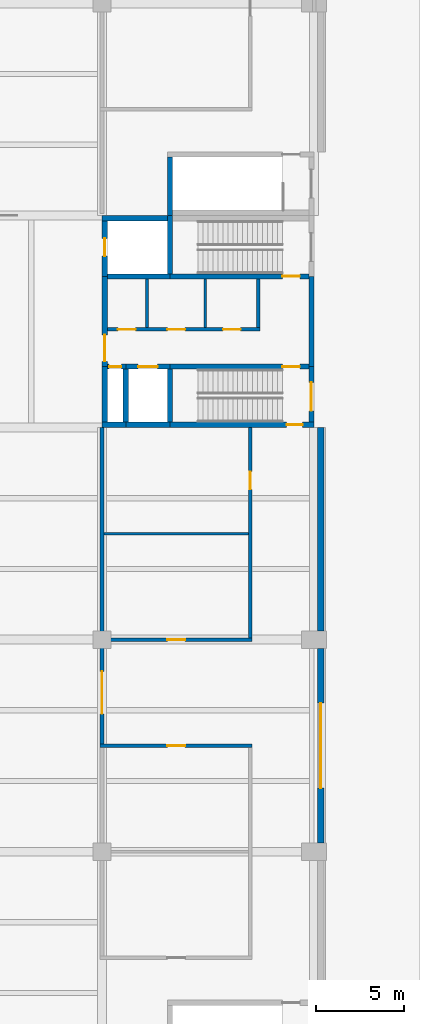
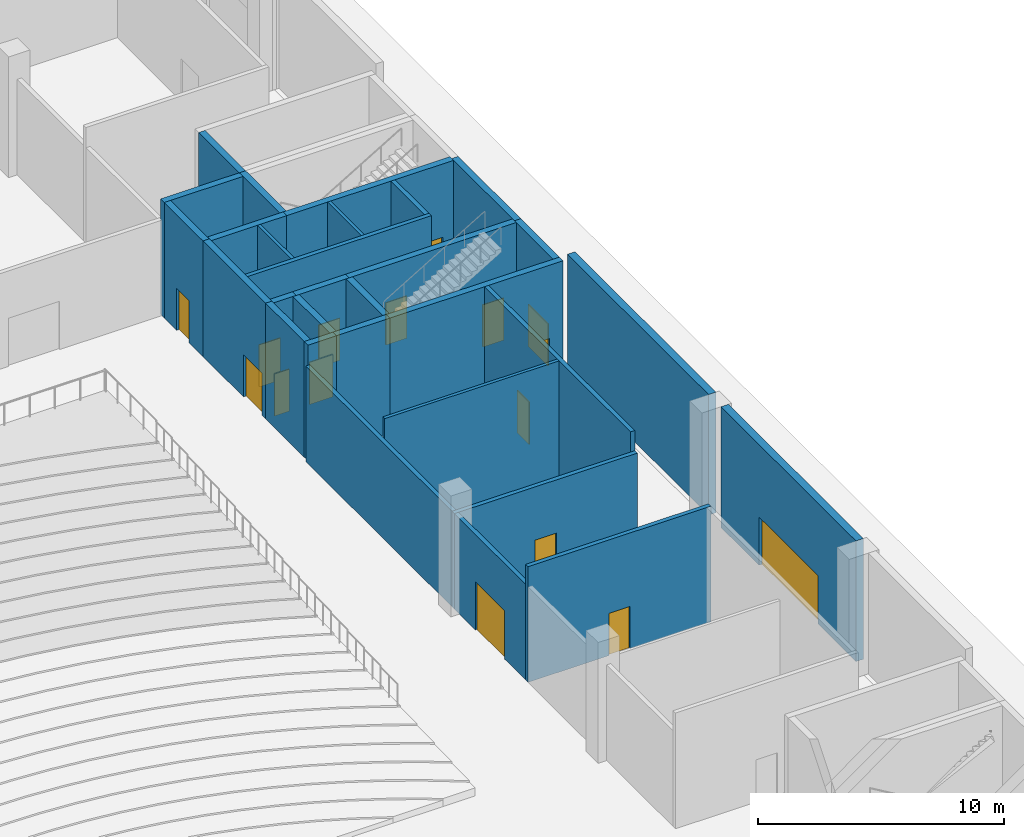
# One storey, part 42 of 59: 30 walls, 16 doors, 16 openings.
"""IFC4 building model written with IfcOpenShell, lengths in metres."""

from ifc_helpers import new_model, si_unit, direction, frame, frame_2d, origin, place, context, subcontext, project, spatial, rectangle, extrude, material, layer, layer_set, type_object, element, fill, save


model = new_model("IFC4")

# Units and contexts
model_context = context("Model", 3, precision=1e-05, world=origin(), true_north=direction((0.0, 1.0)))
body_context = subcontext(model_context, "Body", "Model", "MODEL_VIEW")
ifc_project = project(units=[si_unit("LENGTHUNIT", "METRE"), si_unit("AREAUNIT", "SQUARE_METRE"), si_unit("VOLUMEUNIT", "CUBIC_METRE"), si_unit("PLANEANGLEUNIT", "RADIAN"), si_unit("MASSUNIT", "GRAM", prefix="KILO")], contexts=[model_context])

# Site, building, storey
site_placement = place(None, origin())
site = spatial("IfcSite", under=ifc_project, at=site_placement, CompositionType="ELEMENT")
building_placement = place(site_placement, origin())
building = spatial("IfcBuilding", under=site, at=building_placement, Name="Lilac Gate Convention Centre", CompositionType="ELEMENT")
storey_placement = place(building_placement, origin())
storey = spatial("IfcBuildingStorey", under=building, at=storey_placement, Name="L00", CompositionType="ELEMENT", Elevation=0.0)

# Walls
ifc_material_1 = material(Name="Fire-rated gypsum board on steel stud", Category="steel")
ifc_layer_1 = layer(ifc_material_1, 0.14990234375)
ifc_layer_set_1 = layer_set([ifc_layer_1], Name="Fire-rated gypsum board on steel stud")
wall_type_1 = type_object("IfcWallType", Name="Partition 150 fire-rated gypsum board EI 60", PredefinedType="PARTITIONING", material=ifc_layer_set_1)
wall_1_placement = place(storey_placement, frame((78.10009765625, 144.0, 0.0), z_axis=(0.0, 0.0, 1.0), x_axis=(1.0, 0.0, 0.0)))
element("IfcWall", 1, at=wall_1_placement, inside=storey, type_object=wall_type_1, Name="Partition 150 fire-rated gypsum board EI 60", PredefinedType="PARTITIONING", context=body_context, shape_type="SweptSolid", body=[
    extrude(rectangle(XDim=8.199951171875, YDim=0.14990234375, at=frame_2d((4.10009765625, 0.0))), origin(), (0.0, 0.0, 1.0), 5.75),
])
for number, where, z_axis, x_axis, name in (
    (2, (80.550048828125, 155.64990234375, 0.0), (0.0, 0.0, 1.0), (0.0, 1.0, 0.0), "Partition 150 fire-rated gypsum board EI 60"),
    (3, (83.85009765625, 155.64990234375, 0.0), (0.0, 0.0, 1.0), (0.0, 1.0, 0.0), "Partition 150 fire-rated gypsum board EI 60"),
):
    element("IfcWall", number, at=place(storey_placement, frame(where, z_axis=z_axis, x_axis=x_axis)), inside=storey, type_object=wall_type_1, Name=name, PredefinedType="PARTITIONING", context=body_context, shape_type="SweptSolid", body=[
        extrude(rectangle(XDim=2.75, YDim=0.14990234375, at=frame_2d((1.375, 0.0))), origin(), (0.0, 0.0, 1.0), 5.75),
    ])

# Wall, opening, door
ifc_material_2 = material(Name="Clay brick masonry", Category="masonry")
ifc_layer_2 = layer(ifc_material_2, 0.199951171875)
ifc_layer_set_2 = layer_set([ifc_layer_2], Name="Clay brick masonry")
wall_type_2 = type_object("IfcWallType", Name="Partition 200 brick EI 120", PredefinedType="PARTITIONING", material=ifc_layer_set_2)
wall_2_placement = place(storey_placement, frame((78.0, 132.10009765625, 0.0), z_axis=(0.0, 0.0, 1.0), x_axis=(0.0, 1.0, 0.0)))
wall_2 = element("IfcWall", 4, at=wall_2_placement, inside=storey, type_object=wall_type_2, Name="Partition 200 brick EI 120", PredefinedType="PARTITIONING", context=body_context, shape_type="SweptSolid", body=[
    extrude(rectangle(XDim=5.7998046875, YDim=0.199951171875, at=frame_2d((2.89990234375, 0.0))), origin(), (0.0, 0.0, 1.0), 4.75),
])
opening_1_placement = place(wall_2_placement, frame((1.699951171875, 0.0, 0.0)))
opening_1 = element("IfcOpeningElement", 5, at=opening_1_placement, cuts=wall_2, Name="Opening L00-066", PredefinedType="OPENING", context=body_context, shape_type="SweptSolid", body=[
    extrude(rectangle(XDim=2.39990234375, YDim=2.39990234375, at=frame_2d((1.199951171875, 1.199951171875))), frame((0.0, 0.10986328125, 0.0), z_axis=(0.0, -1.0, 0.0), x_axis=(1.0, 0.0, 0.0)), (0.0, 0.0, 1.0), 0.219970703125),
])
ifc_material_3 = material(Name="Steel Q235B", Category="steel")
door_type_1 = type_object("IfcDoorType", Name="Door 2400 x 2400 double leaf FD90", OperationType="DOUBLE_DOOR_SINGLE_SWING", PredefinedType="DOOR", material=ifc_material_3)
door_1_placement = place(opening_1_placement, frame((2.39990234375, 0.0, 0.0), z_axis=(0.0, 0.0, 1.0), x_axis=(-1.0, 0.0, 0.0)))
door_1 = element("IfcDoor", 6, at=door_1_placement, inside=storey, type_object=door_type_1, Name="Hall exit door L00-066", OperationType="DOUBLE_DOOR_SINGLE_SWING", OverallHeight=2.39990234375, OverallWidth=2.39990234375, PredefinedType="DOOR", context=body_context, shape_type="SweptSolid", body=[
    extrude(rectangle(XDim=2.39990234375, YDim=2.39990234375, at=frame_2d((1.199951171875, 1.199951171875))), frame((0.0, 0.02490234375, 0.0), z_axis=(0.0, -1.0, 0.0), x_axis=(1.0, 0.0, 0.0)), (0.0, 0.0, 1.0), 0.050048828125),
])
fill(opening_1, door_1)

# Wall
wall_3_placement = place(storey_placement, frame((78.0, 138.10009765625, 0.0), z_axis=(0.0, 0.0, 1.0), x_axis=(0.0, 1.0, 0.0)))
element("IfcWall", 7, at=wall_3_placement, inside=storey, type_object=wall_type_2, Name="Partition 200 brick EI 120", PredefinedType="PARTITIONING", context=body_context, shape_type="SweptSolid", body=[
    extrude(rectangle(XDim=11.89990234375, YDim=0.199951171875, at=frame_2d((5.949951171875, 0.0))), origin(), (0.0, 0.0, 1.0), 4.75),
])

# Wall, opening, door
ifc_layer_3 = layer(ifc_material_2, 0.199951171875)
ifc_layer_set_3 = layer_set([ifc_layer_3], Name="Clay brick masonry")
wall_type_3 = type_object("IfcWallType", Name="Partition 200 brick EI 60", PredefinedType="PARTITIONING", material=ifc_layer_set_3)
wall_4_placement = place(storey_placement, frame((77.89990234375, 132.0, 0.0), z_axis=(0.0, 0.0, 1.0), x_axis=(1.0, 0.0, 0.0)))
wall_4 = element("IfcWall", 8, at=wall_4_placement, inside=storey, type_object=wall_type_3, Name="Partition 200 brick EI 60", PredefinedType="PARTITIONING", context=body_context, shape_type="SweptSolid", body=[
    extrude(rectangle(XDim=8.60009765625, YDim=0.199951171875, at=frame_2d((4.300048828125, 0.0))), origin(), (0.0, 0.0, 1.0), 5.75),
])
opening_2_placement = place(wall_4_placement, frame((3.800048828125, 0.0, 0.0)))
opening_2 = element("IfcOpeningElement", 9, at=opening_2_placement, cuts=wall_4, Name="Opening L00-065", PredefinedType="OPENING", context=body_context, shape_type="SweptSolid", body=[
    extrude(rectangle(XDim=1.0, YDim=2.10009765625, at=frame_2d((0.5, 1.050048828125))), frame((0.0, 0.10986328125, 0.0), z_axis=(0.0, -1.0, 0.0), x_axis=(1.0, 0.0, 0.0)), (0.0, 0.0, 1.0), 0.219970703125),
])
ifc_material_4 = material(Name="Timber fire door leaf", Category="wood")
door_type_2 = type_object("IfcDoorType", Name="Door 1000 x 2100 single leaf FD30", OperationType="SINGLE_SWING_LEFT", PredefinedType="DOOR", material=ifc_material_4)
door_2_placement = place(opening_2_placement, frame((1.0, 0.0, 0.0), z_axis=(0.0, 0.0, 1.0), x_axis=(-1.0, 0.0, 0.0)))
door_2 = element("IfcDoor", 10, at=door_2_placement, inside=storey, type_object=door_type_2, Name="Dressing room door L00-065", OperationType="SINGLE_SWING_RIGHT", OverallHeight=2.10009765625, OverallWidth=1.0, PredefinedType="DOOR", context=body_context, shape_type="SweptSolid", body=[
    extrude(rectangle(XDim=1.0, YDim=2.10009765625, at=frame_2d((0.5, 1.050048828125))), frame((0.0, 0.02490234375, 0.0), z_axis=(0.0, -1.0, 0.0), x_axis=(1.0, 0.0, 0.0)), (0.0, 0.0, 1.0), 0.050048828125),
])
fill(opening_2, door_2)

wall_5_placement = place(storey_placement, frame((77.89990234375, 138.0, 0.0), z_axis=(0.0, 0.0, 1.0), x_axis=(1.0, 0.0, 0.0)))
wall_5 = element("IfcWall", 11, at=wall_5_placement, inside=storey, type_object=wall_type_3, Name="Partition 200 brick EI 60", PredefinedType="PARTITIONING", context=body_context, shape_type="SweptSolid", body=[
    extrude(rectangle(XDim=8.60009765625, YDim=0.199951171875, at=frame_2d((4.300048828125, 0.0))), origin(), (0.0, 0.0, 1.0), 4.75),
])
opening_3_placement = place(wall_5_placement, frame((3.800048828125, 0.0, 0.0)))
opening_3 = element("IfcOpeningElement", 12, at=opening_3_placement, cuts=wall_5, Name="Opening L00-067", PredefinedType="OPENING", context=body_context, shape_type="SweptSolid", body=[
    extrude(rectangle(XDim=1.0, YDim=2.10009765625, at=frame_2d((0.5, 1.050048828125))), frame((0.0, 0.10986328125, 0.0), z_axis=(0.0, -1.0, 0.0), x_axis=(1.0, 0.0, 0.0)), (0.0, 0.0, 1.0), 0.219970703125),
])
door_3_placement = place(opening_3_placement, origin())
door_3 = element("IfcDoor", 13, at=door_3_placement, inside=storey, type_object=door_type_2, Name="Dressing room door L00-067", OperationType="SINGLE_SWING_LEFT", OverallHeight=2.10009765625, OverallWidth=1.0, PredefinedType="DOOR", context=body_context, shape_type="SweptSolid", body=[
    extrude(rectangle(XDim=1.0, YDim=2.10009765625, at=frame_2d((0.5, 1.050048828125))), frame((0.0, 0.02490234375, 0.0), z_axis=(0.0, -1.0, 0.0), x_axis=(1.0, 0.0, 0.0)), (0.0, 0.0, 1.0), 0.050048828125),
])
fill(opening_3, door_3)

# Wall, openings, doors
wall_6_placement = place(storey_placement, frame((78.300048828125, 155.550048828125, 0.0), z_axis=(0.0, 0.0, 1.0), x_axis=(1.0, 0.0, 0.0)))
wall_6 = element("IfcWall", 14, at=wall_6_placement, inside=storey, type_object=wall_type_3, Name="Partition 200 brick EI 60", PredefinedType="PARTITIONING", context=body_context, shape_type="SweptSolid", body=[
    extrude(rectangle(XDim=8.64990234375, YDim=0.199951171875, at=frame_2d((4.324951171875, 0.0))), origin(), (0.0, 0.0, 1.0), 5.75),
])
opening_4_placement = place(wall_6_placement, frame((0.60009765625, 0.0, 0.0)))
opening_4 = element("IfcOpeningElement", 15, at=opening_4_placement, cuts=wall_6, Name="Opening L00-083", PredefinedType="OPENING", context=body_context, shape_type="SweptSolid", body=[
    extrude(rectangle(XDim=1.0, YDim=2.10009765625, at=frame_2d((0.5, 1.050048828125))), frame((0.0, 0.10986328125, 0.0), z_axis=(0.0, -1.0, 0.0), x_axis=(1.0, 0.0, 0.0)), (0.0, 0.0, 1.0), 0.219970703125),
])
opening_5_placement = place(wall_6_placement, frame((3.39990234375, 0.0, 0.0)))
opening_5 = element("IfcOpeningElement", 16, at=opening_5_placement, cuts=wall_6, Name="Opening L00-084", PredefinedType="OPENING", context=body_context, shape_type="SweptSolid", body=[
    extrude(rectangle(XDim=1.0, YDim=2.10009765625, at=frame_2d((0.5, 1.050048828125))), frame((0.0, 0.10986328125, 0.0), z_axis=(0.0, -1.0, 0.0), x_axis=(1.0, 0.0, 0.0)), (0.0, 0.0, 1.0), 0.219970703125),
])
opening_6_placement = place(wall_6_placement, frame((6.550048828125, 0.0, 0.0)))
opening_6 = element("IfcOpeningElement", 17, at=opening_6_placement, cuts=wall_6, Name="Opening L00-085", PredefinedType="OPENING", context=body_context, shape_type="SweptSolid", body=[
    extrude(rectangle(XDim=1.0, YDim=2.10009765625, at=frame_2d((0.5, 1.050048828125))), frame((0.0, 0.10986328125, 0.0), z_axis=(0.0, -1.0, 0.0), x_axis=(1.0, 0.0, 0.0)), (0.0, 0.0, 1.0), 0.219970703125),
])
door_4_placement = place(opening_4_placement, origin())
door_4 = element("IfcDoor", 18, at=door_4_placement, inside=storey, type_object=door_type_2, Name="Accessible WC door L00-083", OperationType="SINGLE_SWING_RIGHT", OverallHeight=2.10009765625, OverallWidth=1.0, PredefinedType="DOOR", context=body_context, shape_type="SweptSolid", body=[
    extrude(rectangle(XDim=1.0, YDim=2.10009765625, at=frame_2d((0.5, 1.050048828125))), frame((0.0, 0.02490234375, 0.0), z_axis=(0.0, -1.0, 0.0), x_axis=(1.0, 0.0, 0.0)), (0.0, 0.0, 1.0), 0.050048828125),
])
fill(opening_4, door_4)
door_5_placement = place(opening_5_placement, origin())
door_5 = element("IfcDoor", 19, at=door_5_placement, inside=storey, type_object=door_type_2, Name="WC door L00-084", OperationType="SINGLE_SWING_LEFT", OverallHeight=2.10009765625, OverallWidth=1.0, PredefinedType="DOOR", context=body_context, shape_type="SweptSolid", body=[
    extrude(rectangle(XDim=1.0, YDim=2.10009765625, at=frame_2d((0.5, 1.050048828125))), frame((0.0, 0.02490234375, 0.0), z_axis=(0.0, -1.0, 0.0), x_axis=(1.0, 0.0, 0.0)), (0.0, 0.0, 1.0), 0.050048828125),
])
fill(opening_5, door_5)
door_6_placement = place(opening_6_placement, origin())
door_6 = element("IfcDoor", 20, at=door_6_placement, inside=storey, type_object=door_type_2, Name="WC door L00-085", OperationType="SINGLE_SWING_RIGHT", OverallHeight=2.10009765625, OverallWidth=1.0, PredefinedType="DOOR", context=body_context, shape_type="SweptSolid", body=[
    extrude(rectangle(XDim=1.0, YDim=2.10009765625, at=frame_2d((0.5, 1.050048828125))), frame((0.0, 0.02490234375, 0.0), z_axis=(0.0, -1.0, 0.0), x_axis=(1.0, 0.0, 0.0)), (0.0, 0.0, 1.0), 0.050048828125),
])
fill(opening_6, door_6)

# Wall, opening, door
wall_7_placement = place(storey_placement, frame((86.39990234375, 138.10009765625, 0.0), z_axis=(0.0, 0.0, 1.0), x_axis=(0.0, 1.0, 0.0)))
wall_7 = element("IfcWall", 21, at=wall_7_placement, inside=storey, type_object=wall_type_3, Name="Partition 200 brick EI 60", PredefinedType="PARTITIONING", context=body_context, shape_type="SweptSolid", body=[
    extrude(rectangle(XDim=11.89990234375, YDim=0.199951171875, at=frame_2d((5.949951171875, 0.0))), origin(), (0.0, 0.0, 1.0), 5.75),
])
opening_7_placement = place(wall_7_placement, frame((8.39990234375, 0.0, 0.0)))
opening_7 = element("IfcOpeningElement", 22, at=opening_7_placement, cuts=wall_7, Name="Opening L00-070", PredefinedType="OPENING", context=body_context, shape_type="SweptSolid", body=[
    extrude(rectangle(XDim=1.0, YDim=2.10009765625, at=frame_2d((0.5, 1.050048828125))), frame((0.0, 0.10986328125, 0.0), z_axis=(0.0, -1.0, 0.0), x_axis=(1.0, 0.0, 0.0)), (0.0, 0.0, 1.0), 0.219970703125),
])
door_7_placement = place(opening_7_placement, origin())
door_7 = element("IfcDoor", 23, at=door_7_placement, inside=storey, type_object=door_type_2, Name="Dressing room door L00-070", OperationType="SINGLE_SWING_RIGHT", OverallHeight=2.10009765625, OverallWidth=1.0, PredefinedType="DOOR", context=body_context, shape_type="SweptSolid", body=[
    extrude(rectangle(XDim=1.0, YDim=2.10009765625, at=frame_2d((0.5, 1.050048828125))), frame((0.0, 0.02490234375, 0.0), z_axis=(0.0, -1.0, 0.0), x_axis=(1.0, 0.0, 0.0)), (0.0, 0.0, 1.0), 0.050048828125),
])
fill(opening_7, door_7)

# Wall
wall_8_placement = place(storey_placement, frame((86.85009765625, 155.64990234375, 0.0), z_axis=(0.0, 0.0, 1.0), x_axis=(0.0, 1.0, 0.0)))
element("IfcWall", 24, at=wall_8_placement, inside=storey, type_object=wall_type_3, Name="Partition 200 brick EI 60", PredefinedType="PARTITIONING", context=body_context, shape_type="SweptSolid", body=[
    extrude(rectangle(XDim=2.75, YDim=0.199951171875, at=frame_2d((1.375, 0.0))), origin(), (0.0, 0.0, 1.0), 5.75),
])

# Wall, opening, door
ifc_material_5 = material(Name="Ochre mineral render")
ifc_layer_4 = layer(ifc_material_5, 0.02001953125)
ifc_material_6 = material(Name="Concrete C40 precast", Category="concrete")
ifc_layer_5 = layer(ifc_material_6, 0.06005859375)
ifc_material_7 = material(Name="Ventilated air cavity")
ifc_layer_6 = layer(ifc_material_7, 0.030029296875)
ifc_material_8 = material(Name="Mineral wool insulation")
ifc_layer_7 = layer(ifc_material_8, 0.169921875)
ifc_material_9 = material(Name="Steel stud Q345 and gypsum lining", Category="steel")
ifc_layer_8 = layer(ifc_material_9, 0.070068359375)
ifc_layer_set_4 = layer_set([ifc_layer_4, ifc_layer_5, ifc_layer_6, ifc_layer_7, ifc_layer_8], Name="Ochre mineral render, Concrete C40 precast, Ventilated air cavity, Mineral wool insulation, Steel stud Q345 and gypsum lining")
wall_type_4 = type_object("IfcWallType", Name="Podium precast wall 350", PredefinedType="STANDARD", material=ifc_layer_set_4)
wall_9_placement = place(storey_placement, frame((90.375, 126.5, 0.0), z_axis=(0.0, 0.0, 1.0), x_axis=(0.0, 1.0, 0.0)))
wall_9 = element("IfcWall", 25, at=wall_9_placement, inside=storey, type_object=wall_type_4, Name="External wall hall east HE L00 8", PredefinedType="STANDARD", context=body_context, shape_type="SweptSolid", body=[
    extrude(rectangle(XDim=11.0, YDim=0.35009765625, at=frame_2d((5.5, 0.0))), origin(), (0.0, 0.0, 1.0), 6.0),
])
opening_8_placement = place(wall_9_placement, frame((3.10009765625, 0.0, 0.0)))
opening_8 = element("IfcOpeningElement", 26, at=opening_8_placement, cuts=wall_9, Name="Opening ED-028", PredefinedType="OPENING", context=body_context, shape_type="SweptSolid", body=[
    extrude(rectangle(XDim=4.800048828125, YDim=2.39990234375, at=frame_2d((2.39990234375, 1.199951171875))), frame((0.0, 0.18505859375, 0.0), z_axis=(0.0, -1.0, 0.0), x_axis=(1.0, 0.0, 0.0)), (0.0, 0.0, 1.0), 0.3701171875),
])
door_type_3 = type_object("IfcDoorType", Name="Exit door set 4800 x 2400", OperationType="DOUBLE_DOOR_SINGLE_SWING", PredefinedType="DOOR", material=ifc_material_3)
door_8_placement = place(opening_8_placement, frame((4.800048828125, 0.0, 0.0), z_axis=(0.0, 0.0, 1.0), x_axis=(-1.0, 0.0, 0.0)))
door_8 = element("IfcDoor", 27, at=door_8_placement, inside=storey, type_object=door_type_3, Name="Pedestrian exit doors G17", OperationType="DOUBLE_DOOR_SINGLE_SWING", OverallHeight=2.39990234375, OverallWidth=4.800048828125, PredefinedType="DOOR", context=body_context, shape_type="SweptSolid", body=[
    extrude(rectangle(XDim=4.800048828125, YDim=2.39990234375, at=frame_2d((2.39990234375, 1.199951171875))), frame((0.0, 0.02490234375, 0.0), z_axis=(0.0, -1.0, 0.0), x_axis=(1.0, 0.0, 0.0)), (0.0, 0.0, 1.0), 0.050048828125),
])
fill(opening_8, door_8)

# Walls
wall_10_placement = place(storey_placement, frame((90.375, 138.5, 0.0), z_axis=(0.0, 0.0, 1.0), x_axis=(0.0, 1.0, 0.0)))
element("IfcWall", 28, at=wall_10_placement, inside=storey, type_object=wall_type_4, Name="External wall hall east HE L00 9", PredefinedType="STANDARD", context=body_context, shape_type="SweptSolid", body=[
    extrude(rectangle(XDim=11.5, YDim=0.35009765625, at=frame_2d((5.75, 0.0))), origin(), (0.0, 0.0, 1.0), 6.0),
])
ifc_material_10 = material(Name="Concrete C40", Category="concrete")
ifc_layer_9 = layer(ifc_material_10, 0.300048828125)
ifc_layer_set_5 = layer_set([ifc_layer_9], Name="Concrete C40")
wall_type_5 = type_object("IfcWallType", Name="Shear wall 300 C40", PredefinedType="SHEAR", material=ifc_layer_set_5)
wall_11_placement = place(storey_placement, frame((81.85009765625, 162.0, 0.0), z_axis=(0.0, 0.0, 1.0), x_axis=(0.0, 1.0, 0.0)))
element("IfcWall", 29, at=wall_11_placement, inside=storey, type_object=wall_type_5, Name="SW1 shear wall BE2 L00 4", PredefinedType="SHEAR", context=body_context, shape_type="SweptSolid", body=[
    extrude(rectangle(XDim=3.300048828125, YDim=0.300048828125, at=frame_2d((1.64990234375, 0.0))), origin(), (0.0, 0.0, 1.0), 5.75),
])

# Wall, opening, door
wall_12_placement = place(storey_placement, frame((90.0, 150.14990234375, 0.0), z_axis=(0.0, 0.0, 1.0), x_axis=(-1.0, 0.0, 0.0)))
wall_12 = element("IfcWall", 30, at=wall_12_placement, inside=storey, type_object=wall_type_5, Name="SW1 shear wall E2 L00 1", PredefinedType="SHEAR", context=body_context, shape_type="SweptSolid", body=[
    extrude(rectangle(XDim=8.14990234375, YDim=0.300048828125, at=frame_2d((4.074951171875, 0.0))), origin(), (0.0, 0.0, 1.0), 5.75),
])
opening_9_placement = place(wall_12_placement, frame((0.64990234375, 0.0, 0.0)))
opening_9 = element("IfcOpeningElement", 31, at=opening_9_placement, cuts=wall_12, Name="Opening L00-071", PredefinedType="OPENING", context=body_context, shape_type="SweptSolid", body=[
    extrude(rectangle(XDim=0.89990234375, YDim=2.10009765625, at=frame_2d((0.449951171875, 1.050048828125))), frame((0.0, 0.159912109375, 0.0), z_axis=(0.0, -1.0, 0.0), x_axis=(1.0, 0.0, 0.0)), (0.0, 0.0, 1.0), 0.320068359375),
])
door_type_4 = type_object("IfcDoorType", Name="Door 900 x 2100 single leaf FD60", OperationType="SINGLE_SWING_LEFT", PredefinedType="DOOR", material=ifc_material_4)
door_9_placement = place(opening_9_placement, frame((0.89990234375, 0.0, 0.0), z_axis=(0.0, 0.0, 1.0), x_axis=(-1.0, 0.0, 0.0)))
door_9 = element("IfcDoor", 32, at=door_9_placement, inside=storey, type_object=door_type_4, Name="Stair door L00-071", OperationType="SINGLE_SWING_LEFT", OverallHeight=2.10009765625, OverallWidth=0.89990234375, PredefinedType="DOOR", context=body_context, shape_type="SweptSolid", body=[
    extrude(rectangle(XDim=0.89990234375, YDim=2.10009765625, at=frame_2d((0.449951171875, 1.050048828125))), frame((0.0, 0.02490234375, 0.0), z_axis=(0.0, -1.0, 0.0), x_axis=(1.0, 0.0, 0.0)), (0.0, 0.0, 1.0), 0.050048828125),
])
fill(opening_9, door_9)

# Walls
wall_13_placement = place(storey_placement, frame((81.85009765625, 150.14990234375, 0.0), z_axis=(0.0, 0.0, 1.0), x_axis=(-1.0, 0.0, 0.0)))
element("IfcWall", 33, at=wall_13_placement, inside=storey, type_object=wall_type_5, Name="SW1 shear wall E2 L00 2", PredefinedType="SHEAR", context=body_context, shape_type="SweptSolid", body=[
    extrude(rectangle(XDim=2.5, YDim=0.300048828125, at=frame_2d((1.25, 0.0))), origin(), (0.0, 0.0, 1.0), 5.75),
])
wall_14_placement = place(storey_placement, frame((79.35009765625, 150.14990234375, 0.0), z_axis=(0.0, 0.0, 1.0), x_axis=(-1.0, 0.0, 0.0)))
element("IfcWall", 34, at=wall_14_placement, inside=storey, type_object=wall_type_5, Name="SW1 shear wall E2 L00 3", PredefinedType="SHEAR", context=body_context, shape_type="SweptSolid", body=[
    extrude(rectangle(XDim=1.35009765625, YDim=0.300048828125, at=frame_2d((0.675048828125, 0.0))), origin(), (0.0, 0.0, 1.0), 5.75),
])
wall_15_placement = place(storey_placement, frame((81.85009765625, 161.85009765625, 0.0), z_axis=(0.0, 0.0, 1.0), x_axis=(-1.0, 0.0, 0.0)))
element("IfcWall", 35, at=wall_15_placement, inside=storey, type_object=wall_type_5, Name="SW1 shear wall E2 L00 5", PredefinedType="SHEAR", context=body_context, shape_type="SweptSolid", body=[
    extrude(rectangle(XDim=3.85009765625, YDim=0.300048828125, at=frame_2d((1.925048828125, 0.0))), origin(), (0.0, 0.0, 1.0), 5.75),
])

# Wall, opening, door
wall_16_placement = place(storey_placement, frame((89.699951171875, 153.449951171875, 0.0), z_axis=(0.0, 0.0, 1.0), x_axis=(-1.0, 0.0, 0.0)))
wall_16 = element("IfcWall", 36, at=wall_16_placement, inside=storey, type_object=wall_type_5, Name="SW1 shear wall E2 L00 6", PredefinedType="SHEAR", context=body_context, shape_type="SweptSolid", body=[
    extrude(rectangle(XDim=7.849853515625, YDim=0.300048828125, at=frame_2d((3.9248046875, 0.0))), origin(), (0.0, 0.0, 1.0), 5.75),
])
opening_10_placement = place(wall_16_placement, frame((0.5, 0.0, 0.0)))
opening_10 = element("IfcOpeningElement", 37, at=opening_10_placement, cuts=wall_16, Name="Opening L00-077", PredefinedType="OPENING", context=body_context, shape_type="SweptSolid", body=[
    extrude(rectangle(XDim=1.0, YDim=2.10009765625, at=frame_2d((0.5, 1.050048828125))), frame((0.0, 0.159912109375, 0.0), z_axis=(0.0, -1.0, 0.0), x_axis=(1.0, 0.0, 0.0)), (0.0, 0.0, 1.0), 0.320068359375),
])
door_type_5 = type_object("IfcDoorType", Name="Door 1000 x 2100 single leaf FD60", OperationType="SINGLE_SWING_LEFT", PredefinedType="DOOR", material=ifc_material_4)
door_10_placement = place(opening_10_placement, origin())
door_10 = element("IfcDoor", 38, at=door_10_placement, inside=storey, type_object=door_type_5, Name="Stair door L00-077", OperationType="SINGLE_SWING_RIGHT", OverallHeight=2.10009765625, OverallWidth=1.0, PredefinedType="DOOR", context=body_context, shape_type="SweptSolid", body=[
    extrude(rectangle(XDim=1.0, YDim=2.10009765625, at=frame_2d((0.5, 1.050048828125))), frame((0.0, 0.02490234375, 0.0), z_axis=(0.0, -1.0, 0.0), x_axis=(1.0, 0.0, 0.0)), (0.0, 0.0, 1.0), 0.050048828125),
])
fill(opening_10, door_10)

wall_17_placement = place(storey_placement, frame((81.85009765625, 153.449951171875, 0.0), z_axis=(0.0, 0.0, 1.0), x_axis=(-1.0, 0.0, 0.0)))
wall_17 = element("IfcWall", 39, at=wall_17_placement, inside=storey, type_object=wall_type_5, Name="SW1 shear wall E2 L00 7", PredefinedType="SHEAR", context=body_context, shape_type="SweptSolid", body=[
    extrude(rectangle(XDim=2.5, YDim=0.300048828125, at=frame_2d((1.25, 0.0))), origin(), (0.0, 0.0, 1.0), 5.75),
])
opening_11_placement = place(wall_17_placement, frame((0.699951171875, 0.0, 0.0)))
opening_11 = element("IfcOpeningElement", 40, at=opening_11_placement, cuts=wall_17, Name="Opening LDE2-00", PredefinedType="OPENING", context=body_context, shape_type="SweptSolid", body=[
    extrude(rectangle(XDim=1.10009765625, YDim=2.10009765625, at=frame_2d((0.550048828125, 1.050048828125))), frame((0.0, 0.159912109375, 0.0), z_axis=(0.0, -1.0, 0.0), x_axis=(1.0, 0.0, 0.0)), (0.0, 0.0, 1.0), 0.320068359375),
])
ifc_material_11 = material(Name="Stainless steel 304", Category="steel")
door_type_6 = type_object("IfcDoorType", Name="Lift landing door 1100 x 2100", OperationType="SLIDING_TO_LEFT", PredefinedType="DOOR", material=ifc_material_11)
door_11_placement = place(opening_11_placement, origin())
door_11 = element("IfcDoor", 41, at=door_11_placement, inside=storey, type_object=door_type_6, Name="Lift landing door LDE2-00", OperationType="SLIDING_TO_LEFT", OverallHeight=2.10009765625, OverallWidth=1.10009765625, PredefinedType="DOOR", context=body_context, shape_type="SweptSolid", body=[
    extrude(rectangle(XDim=1.10009765625, YDim=2.10009765625, at=frame_2d((0.550048828125, 1.050048828125))), frame((0.0, 0.02490234375, 0.0), z_axis=(0.0, -1.0, 0.0), x_axis=(1.0, 0.0, 0.0)), (0.0, 0.0, 1.0), 0.050048828125),
])
fill(opening_11, door_11)

wall_18_placement = place(storey_placement, frame((79.35009765625, 153.449951171875, 0.0), z_axis=(0.0, 0.0, 1.0), x_axis=(-1.0, 0.0, 0.0)))
wall_18 = element("IfcWall", 42, at=wall_18_placement, inside=storey, type_object=wall_type_5, Name="SW1 shear wall E2 L00 8", PredefinedType="SHEAR", context=body_context, shape_type="SweptSolid", body=[
    extrude(rectangle(XDim=1.050048828125, YDim=0.300048828125, at=frame_2d((0.52490234375, 0.0))), origin(), (0.0, 0.0, 1.0), 5.75),
])
opening_12_placement = place(wall_18_placement, frame((0.25, 0.0, 0.0)))
opening_12 = element("IfcOpeningElement", 43, at=opening_12_placement, cuts=wall_18, Name="Opening L00-076", PredefinedType="OPENING", context=body_context, shape_type="SweptSolid", body=[
    extrude(rectangle(XDim=0.699951171875, YDim=2.10009765625, at=frame_2d((0.35009765625, 1.050048828125))), frame((0.0, 0.159912109375, 0.0), z_axis=(0.0, -1.0, 0.0), x_axis=(1.0, 0.0, 0.0)), (0.0, 0.0, 1.0), 0.320068359375),
])
door_type_7 = type_object("IfcDoorType", Name="Door 700 x 2100 single leaf FD30", OperationType="SINGLE_SWING_LEFT", PredefinedType="DOOR", material=ifc_material_4)
door_12_placement = place(opening_12_placement, origin())
door_12 = element("IfcDoor", 44, at=door_12_placement, inside=storey, type_object=door_type_7, Name="Riser access door L00-076", OperationType="SINGLE_SWING_LEFT", OverallHeight=2.10009765625, OverallWidth=0.699951171875, PredefinedType="DOOR", context=body_context, shape_type="SweptSolid", body=[
    extrude(rectangle(XDim=0.699951171875, YDim=2.10009765625, at=frame_2d((0.35009765625, 1.050048828125))), frame((0.0, 0.02490234375, 0.0), z_axis=(0.0, -1.0, 0.0), x_axis=(1.0, 0.0, 0.0)), (0.0, 0.0, 1.0), 0.050048828125),
])
fill(opening_12, door_12)

wall_19_placement = place(storey_placement, frame((89.699951171875, 158.550048828125, 0.0), z_axis=(0.0, 0.0, 1.0), x_axis=(-1.0, 0.0, 0.0)))
wall_19 = element("IfcWall", 45, at=wall_19_placement, inside=storey, type_object=wall_type_5, Name="SW1 shear wall E2 L00 9", PredefinedType="SHEAR", context=body_context, shape_type="SweptSolid", body=[
    extrude(rectangle(XDim=7.849853515625, YDim=0.300048828125, at=frame_2d((3.9248046875, 0.0))), origin(), (0.0, 0.0, 1.0), 5.75),
])
opening_13_placement = place(wall_19_placement, frame((0.5, 0.0, 0.0)))
opening_13 = element("IfcOpeningElement", 46, at=opening_13_placement, cuts=wall_19, Name="Opening L00-088", PredefinedType="OPENING", context=body_context, shape_type="SweptSolid", body=[
    extrude(rectangle(XDim=1.0, YDim=2.10009765625, at=frame_2d((0.5, 1.050048828125))), frame((0.0, 0.159912109375, 0.0), z_axis=(0.0, -1.0, 0.0), x_axis=(1.0, 0.0, 0.0)), (0.0, 0.0, 1.0), 0.320068359375),
])
door_13_placement = place(opening_13_placement, frame((1.0, 0.0, 0.0), z_axis=(0.0, 0.0, 1.0), x_axis=(-1.0, 0.0, 0.0)))
door_13 = element("IfcDoor", 47, at=door_13_placement, inside=storey, type_object=door_type_5, Name="Stair door L00-088", OperationType="SINGLE_SWING_LEFT", OverallHeight=2.10009765625, OverallWidth=1.0, PredefinedType="DOOR", context=body_context, shape_type="SweptSolid", body=[
    extrude(rectangle(XDim=1.0, YDim=2.10009765625, at=frame_2d((0.5, 1.050048828125))), frame((0.0, 0.02490234375, 0.0), z_axis=(0.0, -1.0, 0.0), x_axis=(1.0, 0.0, 0.0)), (0.0, 0.0, 1.0), 0.050048828125),
])
fill(opening_13, door_13)

# Wall
wall_20_placement = place(storey_placement, frame((81.85009765625, 158.550048828125, 0.0), z_axis=(0.0, 0.0, 1.0), x_axis=(-1.0, 0.0, 0.0)))
element("IfcWall", 48, at=wall_20_placement, inside=storey, type_object=wall_type_5, Name="SW1 shear wall E2 L00 10", PredefinedType="SHEAR", context=body_context, shape_type="SweptSolid", body=[
    extrude(rectangle(XDim=3.550048828125, YDim=0.300048828125, at=frame_2d((1.77490234375, 0.0))), origin(), (0.0, 0.0, 1.0), 5.75),
])

# Wall, opening, door
wall_21_placement = place(storey_placement, frame((89.85009765625, 150.300048828125, 0.0), z_axis=(0.0, 0.0, 1.0), x_axis=(0.0, 1.0, 0.0)))
wall_21 = element("IfcWall", 49, at=wall_21_placement, inside=storey, type_object=wall_type_5, Name="SW1 shear wall E2 L00 11", PredefinedType="SHEAR", context=body_context, shape_type="SweptSolid", body=[
    extrude(rectangle(XDim=3.14990234375, YDim=0.300048828125, at=frame_2d((1.574951171875, 0.0))), origin(), (0.0, 0.0, 1.0), 5.75),
])
opening_14_placement = place(wall_21_placement, frame((0.64990234375, 0.0, 0.0)))
opening_14 = element("IfcOpeningElement", 50, at=opening_14_placement, cuts=wall_21, Name="Opening L00-073", PredefinedType="OPENING", context=body_context, shape_type="SweptSolid", body=[
    extrude(rectangle(XDim=1.60009765625, YDim=2.10009765625, at=frame_2d((0.800048828125, 1.050048828125))), frame((0.0, 0.159912109375, 0.0), z_axis=(0.0, -1.0, 0.0), x_axis=(1.0, 0.0, 0.0)), (0.0, 0.0, 1.0), 0.320068359375),
])
door_type_8 = type_object("IfcDoorType", Name="Door 1600 x 2100 double leaf FD60", OperationType="DOUBLE_DOOR_SINGLE_SWING", PredefinedType="DOOR", material=ifc_material_4)
door_14_placement = place(opening_14_placement, frame((1.60009765625, 0.0, 0.0), z_axis=(0.0, 0.0, 1.0), x_axis=(-1.0, 0.0, 0.0)))
door_14 = element("IfcDoor", 51, at=door_14_placement, inside=storey, type_object=door_type_8, Name="Stair exit door L00-073", OperationType="DOUBLE_DOOR_SINGLE_SWING", OverallHeight=2.10009765625, OverallWidth=1.60009765625, PredefinedType="DOOR", context=body_context, shape_type="SweptSolid", body=[
    extrude(rectangle(XDim=1.60009765625, YDim=2.10009765625, at=frame_2d((0.800048828125, 1.050048828125))), frame((0.0, 0.02490234375, 0.0), z_axis=(0.0, -1.0, 0.0), x_axis=(1.0, 0.0, 0.0)), (0.0, 0.0, 1.0), 0.050048828125),
])
fill(opening_14, door_14)

# Walls
wall_22_placement = place(storey_placement, frame((89.85009765625, 153.449951171875, 0.0), z_axis=(0.0, 0.0, 1.0), x_axis=(0.0, 1.0, 0.0)))
element("IfcWall", 52, at=wall_22_placement, inside=storey, type_object=wall_type_5, Name="SW1 shear wall E2 L00 12", PredefinedType="SHEAR", context=body_context, shape_type="SweptSolid", body=[
    extrude(rectangle(XDim=5.10009765625, YDim=0.300048828125, at=frame_2d((2.550048828125, 0.0))), origin(), (0.0, 0.0, 1.0), 5.75),
])
wall_23_placement = place(storey_placement, frame((78.14990234375, 150.300048828125, 0.0), z_axis=(0.0, 0.0, 1.0), x_axis=(0.0, 1.0, 0.0)))
element("IfcWall", 53, at=wall_23_placement, inside=storey, type_object=wall_type_5, Name="SW1 shear wall E2 L00 14", PredefinedType="SHEAR", context=body_context, shape_type="SweptSolid", body=[
    extrude(rectangle(XDim=3.14990234375, YDim=0.300048828125, at=frame_2d((1.574951171875, 0.0))), origin(), (0.0, 0.0, 1.0), 5.75),
])

# Wall, opening, door
wall_24_placement = place(storey_placement, frame((78.14990234375, 153.449951171875, 0.0), z_axis=(0.0, 0.0, 1.0), x_axis=(0.0, 1.0, 0.0)))
wall_24 = element("IfcWall", 54, at=wall_24_placement, inside=storey, type_object=wall_type_5, Name="SW1 shear wall E2 L00 15", PredefinedType="SHEAR", context=body_context, shape_type="SweptSolid", body=[
    extrude(rectangle(XDim=5.10009765625, YDim=0.300048828125, at=frame_2d((2.550048828125, 0.0))), origin(), (0.0, 0.0, 1.0), 5.75),
])
opening_15_placement = place(wall_24_placement, frame((0.300048828125, 0.0, 0.0)))
opening_15 = element("IfcOpeningElement", 55, at=opening_15_placement, cuts=wall_24, Name="Opening L00-079", PredefinedType="OPENING", context=body_context, shape_type="SweptSolid", body=[
    extrude(rectangle(XDim=1.5, YDim=2.10009765625, at=frame_2d((0.75, 1.050048828125))), frame((0.0, 0.159912109375, 0.0), z_axis=(0.0, -1.0, 0.0), x_axis=(1.0, 0.0, 0.0)), (0.0, 0.0, 1.0), 0.320068359375),
])
door_type_9 = type_object("IfcDoorType", Name="Door 1500 x 2100 double leaf FD30", OperationType="DOUBLE_DOOR_SINGLE_SWING", PredefinedType="DOOR", material=ifc_material_4)
door_15_placement = place(opening_15_placement, frame((1.5, 0.0, 0.0), z_axis=(0.0, 0.0, 1.0), x_axis=(-1.0, 0.0, 0.0)))
door_15 = element("IfcDoor", 56, at=door_15_placement, inside=storey, type_object=door_type_9, Name="Lobby door L00-079", OperationType="DOUBLE_DOOR_SINGLE_SWING", OverallHeight=2.10009765625, OverallWidth=1.5, PredefinedType="DOOR", context=body_context, shape_type="SweptSolid", body=[
    extrude(rectangle(XDim=1.5, YDim=2.10009765625, at=frame_2d((0.75, 1.050048828125))), frame((0.0, 0.02490234375, 0.0), z_axis=(0.0, -1.0, 0.0), x_axis=(1.0, 0.0, 0.0)), (0.0, 0.0, 1.0), 0.050048828125),
])
fill(opening_15, door_15)

wall_25_placement = place(storey_placement, frame((78.14990234375, 158.550048828125, 0.0), z_axis=(0.0, 0.0, 1.0), x_axis=(0.0, 1.0, 0.0)))
wall_25 = element("IfcWall", 57, at=wall_25_placement, inside=storey, type_object=wall_type_5, Name="SW1 shear wall E2 L00 16", PredefinedType="SHEAR", context=body_context, shape_type="SweptSolid", body=[
    extrude(rectangle(XDim=3.14990234375, YDim=0.300048828125, at=frame_2d((1.574951171875, 0.0))), origin(), (0.0, 0.0, 1.0), 5.75),
])
opening_16_placement = place(wall_25_placement, frame((1.14990234375, 0.0, 0.0)))
opening_16 = element("IfcOpeningElement", 58, at=opening_16_placement, cuts=wall_25, Name="Opening L00-091", PredefinedType="OPENING", context=body_context, shape_type="SweptSolid", body=[
    extrude(rectangle(XDim=1.0, YDim=2.10009765625, at=frame_2d((0.5, 1.050048828125))), frame((0.0, 0.159912109375, 0.0), z_axis=(0.0, -1.0, 0.0), x_axis=(1.0, 0.0, 0.0)), (0.0, 0.0, 1.0), 0.320068359375),
])
door_16_placement = place(opening_16_placement, frame((1.0, 0.0, 0.0), z_axis=(0.0, 0.0, 1.0), x_axis=(-1.0, 0.0, 0.0)))
door_16 = element("IfcDoor", 59, at=door_16_placement, inside=storey, type_object=door_type_2, Name="Riser access door L00-091", OperationType="SINGLE_SWING_LEFT", OverallHeight=2.10009765625, OverallWidth=1.0, PredefinedType="DOOR", context=body_context, shape_type="SweptSolid", body=[
    extrude(rectangle(XDim=1.0, YDim=2.10009765625, at=frame_2d((0.5, 1.050048828125))), frame((0.0, 0.02490234375, 0.0), z_axis=(0.0, -1.0, 0.0), x_axis=(1.0, 0.0, 0.0)), (0.0, 0.0, 1.0), 0.050048828125),
])
fill(opening_16, door_16)

# Walls
wall_26_placement = place(storey_placement, frame((81.85009765625, 150.300048828125, 0.0), z_axis=(0.0, 0.0, 1.0), x_axis=(0.0, 1.0, 0.0)))
element("IfcWall", 60, at=wall_26_placement, inside=storey, type_object=wall_type_5, Name="SW1 shear wall E2 L00 17", PredefinedType="SHEAR", context=body_context, shape_type="SweptSolid", body=[
    extrude(rectangle(XDim=3.0, YDim=0.300048828125, at=frame_2d((1.5, 0.0))), origin(), (0.0, 0.0, 1.0), 5.75),
])
wall_27_placement = place(storey_placement, frame((81.85009765625, 158.699951171875, 0.0), z_axis=(0.0, 0.0, 1.0), x_axis=(0.0, 1.0, 0.0)))
element("IfcWall", 61, at=wall_27_placement, inside=storey, type_object=wall_type_5, Name="SW1 shear wall E2 L00 18", PredefinedType="SHEAR", context=body_context, shape_type="SweptSolid", body=[
    extrude(rectangle(XDim=3.300048828125, YDim=0.300048828125, at=frame_2d((1.64990234375, 0.0))), origin(), (0.0, 0.0, 1.0), 5.75),
])
wall_28_placement = place(storey_placement, frame((79.35009765625, 150.300048828125, 0.0), z_axis=(0.0, 0.0, 1.0), x_axis=(0.0, 1.0, 0.0)))
element("IfcWall", 62, at=wall_28_placement, inside=storey, type_object=wall_type_5, Name="SW1 shear wall E2 L00 19", PredefinedType="SHEAR", context=body_context, shape_type="SweptSolid", body=[
    extrude(rectangle(XDim=3.0, YDim=0.300048828125, at=frame_2d((1.5, 0.0))), origin(), (0.0, 0.0, 1.0), 5.75),
])

save(model, "model.ifc")
